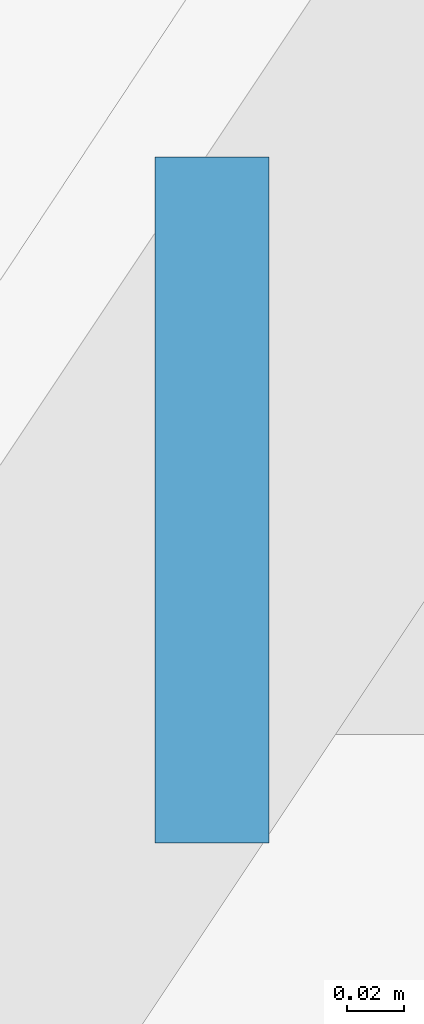
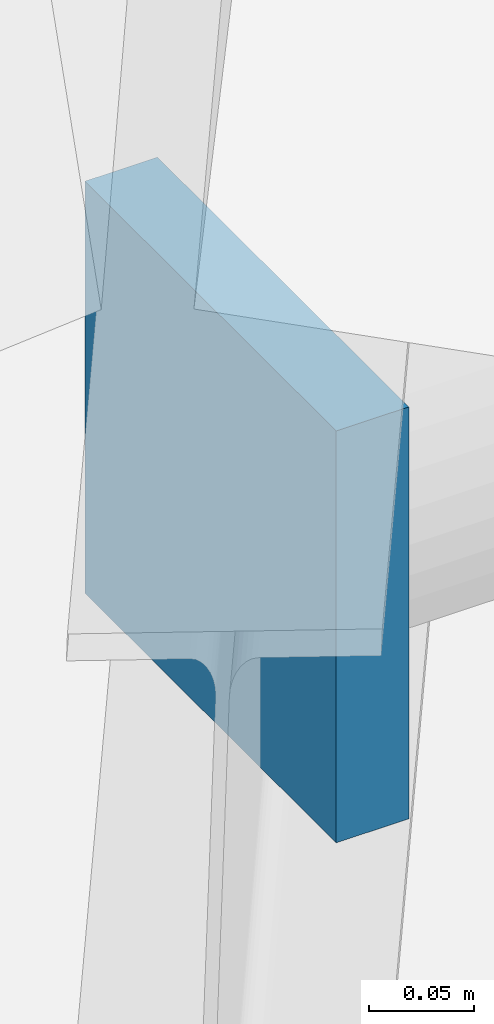
# One storey, part 45 of 53: 1 discrete accessory.
"""IFC4 building model written with IfcOpenShell, lengths in metres."""

from ifc_helpers import new_model, si_unit, direction, frame, origin, origin_2d, place, context, subcontext, project, spatial, rectangle, extrude, material, type_object, element, save


model = new_model("IFC4")

# Units and contexts
model_context = context("Model", 3, precision=1e-05, world=origin(), true_north=direction((0.0, 1.0)))
body_context = subcontext(model_context, "Body", "Model", "MODEL_VIEW")
ifc_project = project(units=[si_unit("LENGTHUNIT", "METRE"), si_unit("AREAUNIT", "SQUARE_METRE"), si_unit("VOLUMEUNIT", "CUBIC_METRE"), si_unit("PLANEANGLEUNIT", "RADIAN"), si_unit("MASSUNIT", "GRAM", prefix="KILO")], contexts=[model_context])

# Site, building, storey
site_placement = place(None, origin())
site = spatial("IfcSite", under=ifc_project, at=site_placement, CompositionType="ELEMENT")
building_placement = place(site_placement, origin())
building = spatial("IfcBuilding", under=site, at=building_placement, Name="Kazehaya Institute of Natural Sciences", CompositionType="ELEMENT")
storey_placement = place(building_placement, frame((0.0, 0.0, 33.300048828125)))
storey = spatial("IfcBuildingStorey", under=building, at=storey_placement, Name="L07", CompositionType="ELEMENT", Elevation=33.300048828125)

# Discrete accessory
ifc_material = material(Name="Structural steel SN490B", Category="steel")
discrete_accessory_type = type_object("IfcDiscreteAccessoryType", Name="ACC-STL-CAP", PredefinedType="BRACKET", material=ifc_material)
discrete_accessory_placement = place(storey_placement, frame((65.39208984375, 91.39990234375, 0.80712890625), z_axis=(0.0, 0.0, 1.0), x_axis=(1.0, 0.0, 0.0)))
element("IfcDiscreteAccessory", 1, at=discrete_accessory_placement, inside=storey, type_object=discrete_accessory_type, Name="ROOF-VOL5 hollow purlin welded end cap 7 W", PredefinedType="BRACKET", context=body_context, shape_type="SweptSolid", body=[
    extrude(rectangle(XDim=0.0400390625, YDim=0.239990234375, at=origin_2d()), origin(), (0.0, 0.0, 1.0), 0.239990234375),
])

save(model, "model.ifc")
